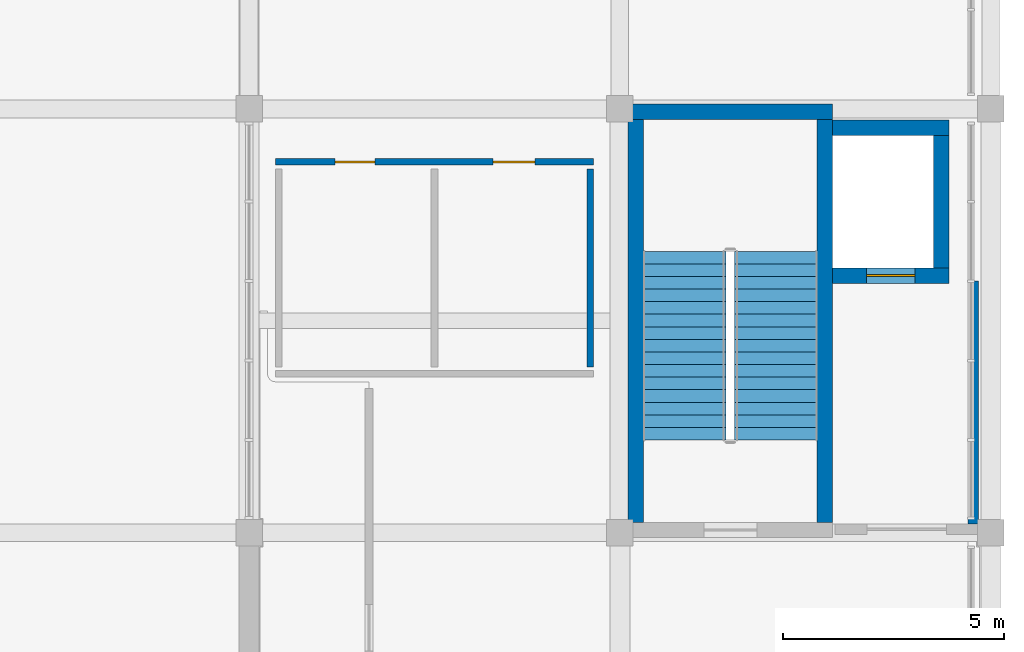
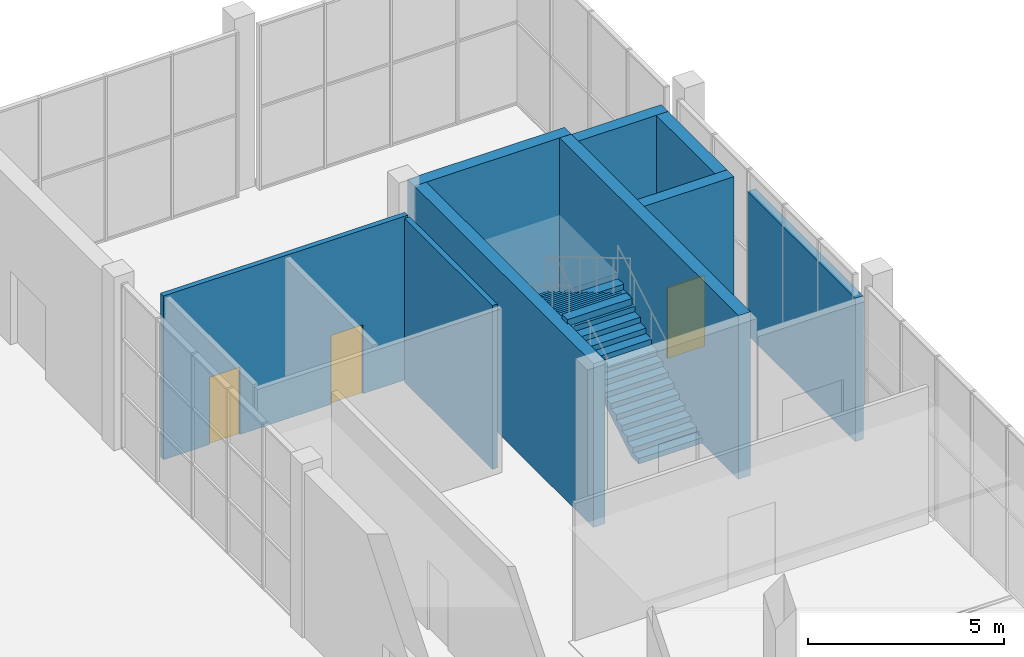
# One storey, part 12 of 15: 9 walls, 3 doors, 2 stair flights, 3 openings, 1 element without a shape of its own.
"""IFC4 building model written with IfcOpenShell, lengths in metres."""

from ifc_helpers import new_model, si_unit, direction, frame, frame_2d, origin, place, context, subcontext, project, spatial, polyline, rectangle, outline, extrude, material, layer, layer_set, type_object, element, fill, aggregate, save


model = new_model("IFC4")

# Units and contexts
model_context = context("Model", 3, precision=1e-05, world=origin(), true_north=direction((0.0, 1.0)))
body_context = subcontext(model_context, "Body", "Model", "MODEL_VIEW")
ifc_project = project(units=[si_unit("LENGTHUNIT", "METRE"), si_unit("AREAUNIT", "SQUARE_METRE"), si_unit("VOLUMEUNIT", "CUBIC_METRE"), si_unit("PLANEANGLEUNIT", "RADIAN"), si_unit("MASSUNIT", "GRAM", prefix="KILO")], contexts=[model_context])

# Site, building, storey
site_placement = place(None, origin())
site = spatial("IfcSite", under=ifc_project, at=site_placement, CompositionType="ELEMENT")
building_placement = place(site_placement, origin())
building = spatial("IfcBuilding", under=site, at=building_placement, Name="Shalvenor Court Art Gallery", CompositionType="ELEMENT")
storey_placement = place(building_placement, frame((0.0, 0.0, 27.0)))
storey = spatial("IfcBuildingStorey", under=building, at=storey_placement, Name="L05", CompositionType="ELEMENT", Elevation=27.0)

# Walls
ifc_material_1 = material(Name="Concrete C40/50", Category="concrete")
ifc_layer_1 = layer(ifc_material_1, 0.35009765625, Name="Concrete C40/50")
ifc_layer_set_1 = layer_set([ifc_layer_1], Name="Concrete C40/50")
wall_type_1 = type_object("IfcWallType", Name="CW-W1", PredefinedType="SHEAR", material=ifc_layer_set_1)
wall_1_placement = place(storey_placement, frame((168.18798828125, 88.737060546875, 0.0), z_axis=(0.0, 0.0, 1.0), x_axis=(1.0, 0.0, 0.0)))
element("IfcWall", 1, at=wall_1_placement, inside=storey, type_object=wall_type_1, Name="L05 C1 Stair Core Shear Wall N", PredefinedType="SHEAR", context=body_context, shape_type="SweptSolid", body=[
    extrude(rectangle(XDim=4.6240234375, YDim=0.35009765625, at=frame_2d((2.31201171875, 0.0))), origin(), (0.0, 0.0, 1.0), 5.10009765625),
])
for number, where, z_axis, x_axis, name in (
    (2, (172.636962890625, 88.56201171875, 0.0), (0.0, 0.0, 1.0), (0.0, -1.0, 0.0), "L05 C1 Stair Core Shear Wall E"),
    (3, (168.363037109375, 79.43798828125, 0.0), (0.0, 0.0, 1.0), (0.0, 1.0, 0.0), "L05 C1 Stair Core Shear Wall W"),
):
    element("IfcWall", number, at=place(storey_placement, frame(where, z_axis=z_axis, x_axis=x_axis)), inside=storey, type_object=wall_type_1, Name=name, PredefinedType="SHEAR", context=body_context, shape_type="SweptSolid", body=[
        extrude(rectangle(XDim=9.1240234375, YDim=0.35009765625, at=frame_2d((4.56201171875, 0.0))), origin(), (0.0, 0.0, 1.0), 5.10009765625),
    ])
wall_2_placement = place(storey_placement, frame((172.81201171875, 88.375, 0.0), z_axis=(0.0, 0.0, 1.0), x_axis=(1.0, 0.0, 0.0)))
element("IfcWall", 4, at=wall_2_placement, inside=storey, type_object=wall_type_1, Name="L05 FL-01 Lift Shaft Wall N", PredefinedType="SHEAR", context=body_context, shape_type="SweptSolid", body=[
    extrude(rectangle(XDim=2.637939453125, YDim=0.35009765625, at=frame_2d((1.31884765625, 0.0))), origin(), (0.0, 0.0, 1.0), 5.10009765625),
])
wall_3_placement = place(storey_placement, frame((175.27490234375, 88.199951171875, 0.0), z_axis=(0.0, 0.0, 1.0), x_axis=(0.0, -1.0, 0.0)))
element("IfcWall", 5, at=wall_3_placement, inside=storey, type_object=wall_type_1, Name="L05 FL-01 Lift Shaft Wall E", PredefinedType="SHEAR", context=body_context, shape_type="SweptSolid", body=[
    extrude(rectangle(XDim=3.0, YDim=0.35009765625, at=frame_2d((1.5, 0.0))), origin(), (0.0, 0.0, 1.0), 5.10009765625),
])

# Wall, opening, door
wall_4_placement = place(storey_placement, frame((175.449951171875, 85.02490234375, 0.0), z_axis=(0.0, 0.0, 1.0), x_axis=(-1.0, 0.0, 0.0)))
wall_4 = element("IfcWall", 6, at=wall_4_placement, inside=storey, type_object=wall_type_1, Name="L05 FL-01 Lift Shaft Wall S", PredefinedType="SHEAR", context=body_context, shape_type="SweptSolid", body=[
    extrude(rectangle(XDim=2.637939453125, YDim=0.35009765625, at=frame_2d((1.31884765625, 0.0))), origin(), (0.0, 0.0, 1.0), 5.10009765625),
])
opening_1_placement = place(wall_4_placement, frame((0.76904296875, 0.0, 0.0)))
opening_1 = element("IfcOpeningElement", 7, at=opening_1_placement, cuts=wall_4, Name="Opening LD-01", PredefinedType="OPENING", context=body_context, shape_type="SweptSolid", body=[
    extrude(rectangle(XDim=1.10009765625, YDim=2.199951171875, at=frame_2d((0.550048828125, 1.10009765625))), frame((0.0, 0.18505859375, 0.0), z_axis=(0.0, -1.0, 0.0), x_axis=(1.0, 0.0, 0.0)), (0.0, 0.0, 1.0), 0.3701171875),
])
ifc_material_2 = material(Name="Stainless steel firefighting lift sliding landing door", Category="steel")
door_type_1 = type_object("IfcDoorType", Name="LD-01", OperationType="NOTDEFINED", PredefinedType="DOOR", material=ifc_material_2)
door_1_placement = place(opening_1_placement, origin())
door_1 = element("IfcDoor", 8, at=door_1_placement, inside=storey, type_object=door_type_1, Name="DR-LD-L05-FL-01 L05 FL-01 Lift Landing Sliding Door", OperationType="DOUBLE_DOOR_SLIDING", OverallHeight=2.199951171875, OverallWidth=1.10009765625, PredefinedType="DOOR", context=body_context, shape_type="SweptSolid", body=[
    extrude(rectangle(XDim=1.10009765625, YDim=2.199951171875, at=frame_2d((0.550048828125, 1.10009765625))), frame((0.0, 0.02490234375, 0.0), z_axis=(0.0, -1.0, 0.0), x_axis=(1.0, 0.0, 0.0)), (0.0, 0.0, 1.0), 0.050048828125),
])
fill(opening_1, door_1)

# Wall
ifc_material_3 = material(Name="Concrete blockwork fire wall", Category="masonry")
ifc_layer_2 = layer(ifc_material_3, 0.239990234375, Name="Concrete blockwork fire wall")
ifc_layer_set_2 = layer_set([ifc_layer_2], Name="Concrete blockwork fire wall")
wall_type_2 = type_object("IfcWallType", Name="FW-01", PredefinedType="PARTITIONING", material=ifc_layer_set_2)
wall_5_placement = place(storey_placement, frame((176.0, 84.89990234375, 0.0), z_axis=(0.0, 0.0, 1.0), x_axis=(0.0, -1.0, 0.0)))
element("IfcWall", 9, at=wall_5_placement, inside=storey, type_object=wall_type_2, Name="L05 C1 Firefighting Lobby Wall E", PredefinedType="PARTITIONING", context=body_context, shape_type="SweptSolid", body=[
    extrude(rectangle(XDim=5.5, YDim=0.239990234375, at=frame_2d((2.75, 0.0))), origin(), (0.0, 0.0, 1.0), 4.465087890625),
])

# Wall, openings, doors
ifc_material_4 = material(Name="Moisture-resistant sanitary partition", Category="other")
ifc_layer_3 = layer(ifc_material_4, 0.14990234375, Name="Moisture-resistant sanitary partition")
ifc_layer_set_3 = layer_set([ifc_layer_3], Name="Moisture-resistant sanitary partition")
wall_type_3 = type_object("IfcWallType", Name="PT-03", PredefinedType="PARTITIONING", material=ifc_layer_set_3)
wall_6_placement = place(storey_placement, frame((160.199951171875, 87.60009765625, 0.0), z_axis=(0.0, 0.0, 1.0), x_axis=(1.0, 0.0, 0.0)))
wall_6 = element("IfcWall", 10, at=wall_6_placement, inside=storey, type_object=wall_type_3, Name="L05 C1 Restroom Front Partition", PredefinedType="PARTITIONING", context=body_context, shape_type="SweptSolid", body=[
    extrude(rectangle(XDim=7.199951171875, YDim=0.14990234375, at=frame_2d((3.60009765625, 0.0))), origin(), (0.0, 0.0, 1.0), 5.10009765625),
])
opening_2_placement = place(wall_6_placement, frame((1.35009765625, 0.0, 0.0)))
opening_2 = element("IfcOpeningElement", 11, at=opening_2_placement, cuts=wall_6, Name="Opening ID-07", PredefinedType="OPENING", context=body_context, shape_type="SweptSolid", body=[
    extrude(rectangle(XDim=0.89990234375, YDim=2.10009765625, at=frame_2d((0.449951171875, 1.050048828125))), frame((0.0, 0.0849609375, 0.0), z_axis=(0.0, -1.0, 0.0), x_axis=(1.0, 0.0, 0.0)), (0.0, 0.0, 1.0), 0.169921875),
])
opening_3_placement = place(wall_6_placement, frame((4.925048828125, 0.0, 0.0)))
opening_3 = element("IfcOpeningElement", 12, at=opening_3_placement, cuts=wall_6, Name="Opening ID-06", PredefinedType="OPENING", context=body_context, shape_type="SweptSolid", body=[
    extrude(rectangle(XDim=0.949951171875, YDim=2.14990234375, at=frame_2d((0.47509765625, 1.074951171875))), frame((0.0, 0.0849609375, 0.0), z_axis=(0.0, -1.0, 0.0), x_axis=(1.0, 0.0, 0.0)), (0.0, 0.0, 1.0), 0.169921875),
])
ifc_material_5 = material(Name="Accessible restroom doorset", Category="steel")
door_type_2 = type_object("IfcDoorType", Name="ID-06", OperationType="NOTDEFINED", PredefinedType="DOOR", material=ifc_material_5)
door_2_placement = place(opening_3_placement, origin())
door_2 = element("IfcDoor", 13, at=door_2_placement, inside=storey, type_object=door_type_2, Name="DR-AWC-L05-C1-2 L05 C1 Accessible Restroom Door", OperationType="SINGLE_SWING_RIGHT", OverallHeight=2.14990234375, OverallWidth=0.949951171875, PredefinedType="DOOR", context=body_context, shape_type="SweptSolid", body=[
    extrude(rectangle(XDim=0.949951171875, YDim=2.14990234375, at=frame_2d((0.47509765625, 1.074951171875))), frame((0.0, 0.02490234375, 0.0), z_axis=(0.0, -1.0, 0.0), x_axis=(1.0, 0.0, 0.0)), (0.0, 0.0, 1.0), 0.050048828125),
])
fill(opening_3, door_2)
ifc_material_6 = material(Name="Restroom timber doorset", Category="wood")
door_type_3 = type_object("IfcDoorType", Name="ID-07", OperationType="NOTDEFINED", PredefinedType="DOOR", material=ifc_material_6)
door_3_placement = place(opening_2_placement, origin())
door_3 = element("IfcDoor", 14, at=door_3_placement, inside=storey, type_object=door_type_3, Name="DR-WC-L05-C1-1 L05 C1 Public Restroom Door", OperationType="SINGLE_SWING_LEFT", OverallHeight=2.10009765625, OverallWidth=0.89990234375, PredefinedType="DOOR", context=body_context, shape_type="SweptSolid", body=[
    extrude(rectangle(XDim=0.89990234375, YDim=2.10009765625, at=frame_2d((0.449951171875, 1.050048828125))), frame((0.0, 0.02490234375, 0.0), z_axis=(0.0, -1.0, 0.0), x_axis=(1.0, 0.0, 0.0)), (0.0, 0.0, 1.0), 0.050048828125),
])
fill(opening_2, door_3)

# Wall
wall_7_placement = place(storey_placement, frame((167.324951171875, 82.9599609375, 0.0), z_axis=(0.0, 0.0, 1.0), x_axis=(0.0, 1.0, 0.0)))
element("IfcWall", 15, at=wall_7_placement, inside=storey, type_object=wall_type_3, Name="L05 C1 Restroom Partition R", PredefinedType="PARTITIONING", context=body_context, shape_type="SweptSolid", body=[
    extrude(rectangle(XDim=4.47998046875, YDim=0.14990234375, at=frame_2d((2.239990234375, 0.0))), origin(), (0.0, 0.0, 1.0), 5.10009765625),
])

# Stair, stair flights
ifc_material_7 = material(Name="Concrete C40/50", Category="concrete")
stair_type = type_object("IfcStairType", Name="ST-DL-32R-1900", PredefinedType="HALF_TURN_STAIR", material=ifc_material_7)
stair_placement = place(storey_placement, origin())
stair = element("IfcStair", 16, at=stair_placement, inside=storey, type_object=stair_type, Name="L05 Core Dogleg Stair ST-01", PredefinedType="HALF_TURN_STAIR")
ifc_material_8 = material(Name="Concrete C40/50", Category="concrete")
stair_flight_type = type_object("IfcStairFlightType", Name="FL-DL-16R-1900", PredefinedType="STRAIGHT", material=ifc_material_8)
stair_flight_1_placement = place(storey_placement, frame((171.550048828125, 81.300048828125, 0.0), z_axis=(0.0, 0.0, 1.0), x_axis=(0.0, 1.0, 0.0)))
stair_flight_1 = element("IfcStairFlight", 17, at=stair_flight_1_placement, type_object=stair_flight_type, Name="ST-DL-32R-1900 flight 1", NumberOfRisers=16, NumberOfTreads=15, PredefinedType="STRAIGHT", RiserHeight=0.16875, TreadLength=0.285, context=body_context, shape_type="SweptSolid", body=[
    extrude(outline(polyline([(0.0, 0.0), (0.0, 0.168701171875), (0.284912109375, 0.168701171875), (0.284912109375, 0.33740234375), (0.570068359375, 0.33740234375), (0.570068359375, 0.50634765625), (0.85498046875, 0.50634765625), (0.85498046875, 0.675048828125), (1.139892578125, 0.675048828125), (1.139892578125, 0.84375), (1.425048828125, 0.84375), (1.425048828125, 1.012451171875), (1.7099609375, 1.012451171875), (1.7099609375, 1.18115234375), (1.9951171875, 1.18115234375), (1.9951171875, 1.35009765625), (2.280029296875, 1.35009765625), (2.280029296875, 1.518798828125), (2.56494140625, 1.518798828125), (2.56494140625, 1.6875), (2.85009765625, 1.6875), (2.85009765625, 1.856201171875), (3.135009765625, 1.856201171875), (3.135009765625, 2.02490234375), (3.419921875, 2.02490234375), (3.419921875, 2.19384765625), (3.705078125, 2.19384765625), (3.705078125, 2.362548828125), (3.989990234375, 2.362548828125), (3.989990234375, 2.53125), (4.27490234375, 2.53125), (4.27490234375, 2.699951171875), (4.27490234375, 2.322021484375), (0.353271484375, 0.0), (0.0, 0.0)])), frame((0.0, 0.949951171875, 0.0), z_axis=(0.0, -1.0, 0.0), x_axis=(1.0, 0.0, 0.0)), (0.0, 0.0, 1.0), 1.89990234375),
])
stair_flight_2_placement = place(storey_placement, frame((169.449951171875, 85.574951171875, 2.699951171875), z_axis=(0.0, 0.0, 1.0), x_axis=(0.0, -1.0, 0.0)))
stair_flight_2 = element("IfcStairFlight", 18, at=stair_flight_2_placement, type_object=stair_flight_type, Name="ST-DL-32R-1900 flight 2", NumberOfRisers=16, NumberOfTreads=15, PredefinedType="STRAIGHT", RiserHeight=0.16875, TreadLength=0.285, context=body_context, shape_type="SweptSolid", body=[
    extrude(outline(polyline([(0.0, 0.0), (0.0, 0.168701171875), (0.284912109375, 0.168701171875), (0.284912109375, 0.33740234375), (0.570068359375, 0.33740234375), (0.570068359375, 0.50634765625), (0.85498046875, 0.50634765625), (0.85498046875, 0.675048828125), (1.139892578125, 0.675048828125), (1.139892578125, 0.84375), (1.425048828125, 0.84375), (1.425048828125, 1.012451171875), (1.7099609375, 1.012451171875), (1.7099609375, 1.18115234375), (1.9951171875, 1.18115234375), (1.9951171875, 1.35009765625), (2.280029296875, 1.35009765625), (2.280029296875, 1.518798828125), (2.56494140625, 1.518798828125), (2.56494140625, 1.6875), (2.85009765625, 1.6875), (2.85009765625, 1.856201171875), (3.135009765625, 1.856201171875), (3.135009765625, 2.02490234375), (3.419921875, 2.02490234375), (3.419921875, 2.19384765625), (3.705078125, 2.19384765625), (3.705078125, 2.362548828125), (3.989990234375, 2.362548828125), (3.989990234375, 2.53125), (4.27490234375, 2.53125), (4.27490234375, 2.699951171875), (4.27490234375, 2.322021484375), (0.353271484375, 0.0), (0.0, 0.0)])), frame((0.0, 0.949951171875, 0.0), z_axis=(0.0, -1.0, 0.0), x_axis=(1.0, 0.0, 0.0)), (0.0, 0.0, 1.0), 1.89990234375),
])
aggregate(stair, [stair_flight_1, stair_flight_2])

save(model, "model.ifc")
